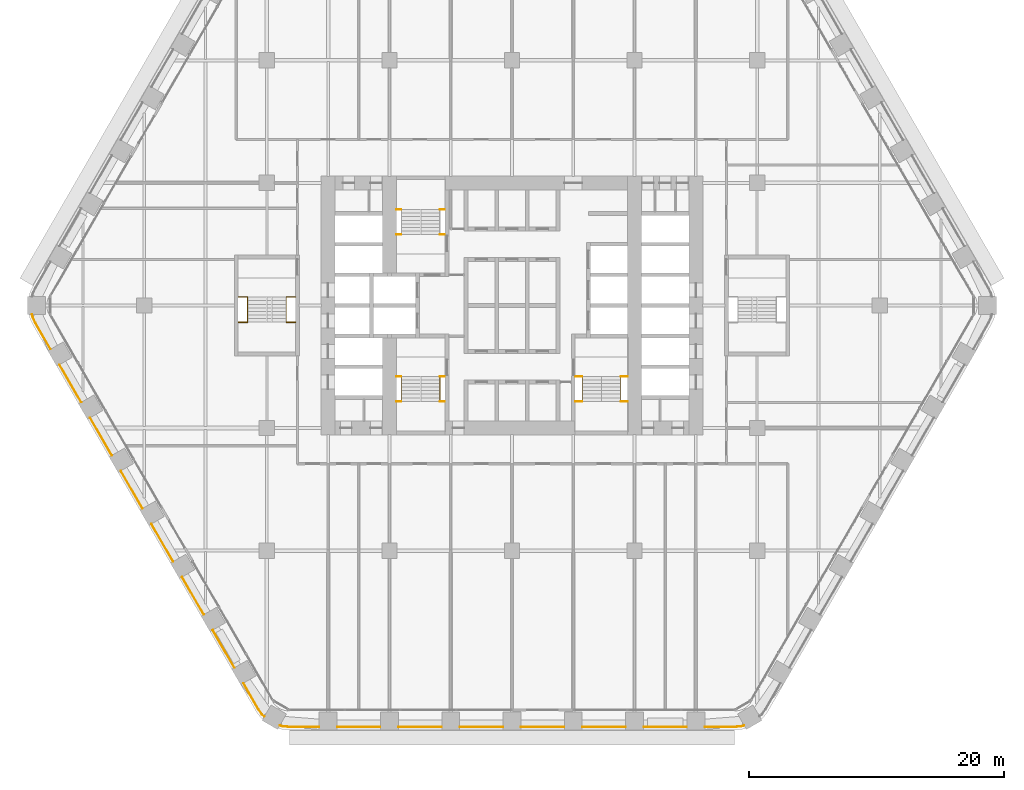
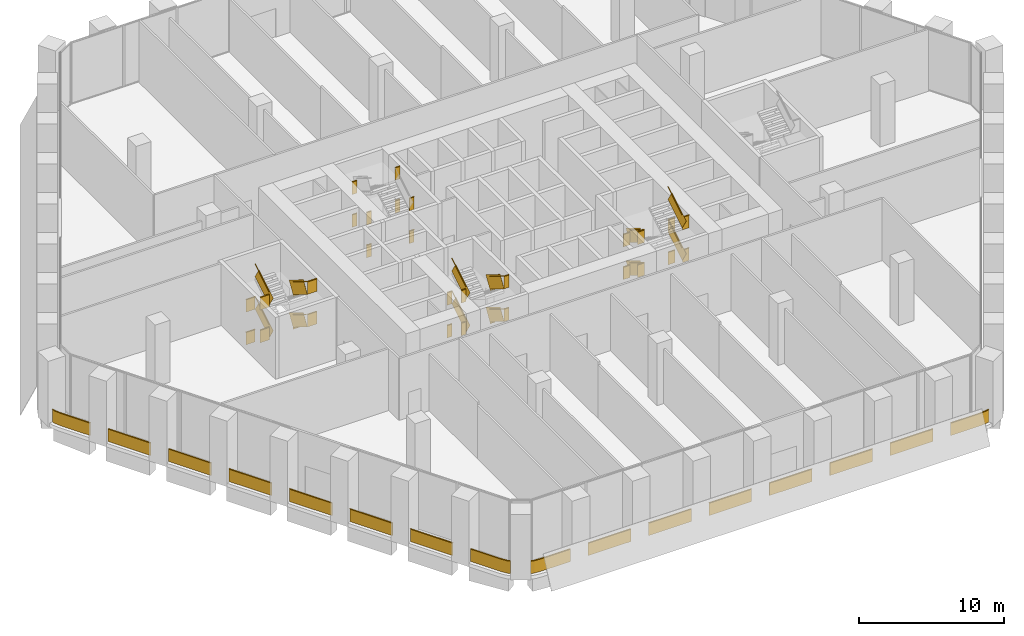
# One storey, part 26 of 27: 9 railings.
"""IFC4 building model written with IfcOpenShell, lengths in metres."""

from ifc_helpers import new_model, si_unit, direction, frame, frame_2d, origin, origin_2d, place, context, subcontext, project, spatial, rectangle, extrude, material, type_object, element, save


model = new_model("IFC4")

# Units and contexts
model_context = context("Model", 3, precision=1e-05, world=origin(), true_north=direction((0.0, 1.0)))
body_context = subcontext(model_context, "Body", "Model", "MODEL_VIEW")
ifc_project = project(units=[si_unit("LENGTHUNIT", "METRE"), si_unit("AREAUNIT", "SQUARE_METRE"), si_unit("VOLUMEUNIT", "CUBIC_METRE"), si_unit("PLANEANGLEUNIT", "RADIAN"), si_unit("MASSUNIT", "GRAM", prefix="KILO")], contexts=[model_context])

# Site, building, storey
site_placement = place(None, origin())
site = spatial("IfcSite", under=ifc_project, at=site_placement, CompositionType="ELEMENT")
building_placement = place(site_placement, origin())
building = spatial("IfcBuilding", under=site, at=building_placement, Name="Kolab Exchange Tower", CompositionType="ELEMENT")
storey_placement = place(building_placement, frame((0.0, 0.0, 66.39990234375)))
storey = spatial("IfcBuildingStorey", under=building, at=storey_placement, Name="L12", CompositionType="ELEMENT", Elevation=66.39990234375)

# Railings
ifc_material_1 = material(Name="Stainless steel 316", Category="steel")
railing_type_1 = type_object("IfcRailingType", Name="GUARD 1100", PredefinedType="GUARDRAIL", material=ifc_material_1)
railing_1_placement = place(storey_placement, frame((-9.050048828125, 5.550048828125, 0.0)))
element("IfcRailing", 1, at=railing_1_placement, inside=storey, type_object=railing_type_1, Name="Guard ST1", PredefinedType="GUARDRAIL", context=body_context, shape_type="SweptSolid", body=[
    extrude(rectangle(XDim=0.05, YDim=0.05, at=origin_2d()), frame((0.0, 0.0, 1.0751953125), z_axis=(1.0, 0.0, 0.0), x_axis=(0.0, 1.0, 0.0)), (0.0, 0.0, 1.0), 0.39013671875),
    extrude(rectangle(XDim=0.012, YDim=1.05009765625, at=frame_2d((0.0, 0.525146484375))), frame((0.0, 0.0, 0.0), z_axis=(1.0, 0.0, 0.0), x_axis=(0.0, 1.0, 0.0)), (0.0, 0.0, 1.0), 0.39013671875),
    extrude(rectangle(XDim=0.05, YDim=0.05, at=origin_2d()), frame((3.41015625, 0.0, 1.0751953125), z_axis=(1.0, 0.0, 0.0), x_axis=(0.0, 1.0, 0.0)), (0.0, 0.0, 1.0), 0.389892578125),
    extrude(rectangle(XDim=0.012, YDim=1.05009765625, at=frame_2d((0.0, 0.525146484375))), frame((3.41015625, 0.0, 0.0), z_axis=(1.0, 0.0, 0.0), x_axis=(0.0, 1.0, 0.0)), (0.0, 0.0, 1.0), 0.389892578125),
    extrude(rectangle(XDim=0.05, YDim=0.05, at=origin_2d()), frame((0.0, 1.9599609375, 2.4501953125), z_axis=(1.0, 0.0, 0.0), x_axis=(0.0, 1.0, 0.0)), (0.0, 0.0, 1.0), 0.39013671875),
    extrude(rectangle(XDim=0.012, YDim=1.05009765625, at=frame_2d((0.0, 0.525146484375))), frame((0.0, 1.9599609375, 1.375), z_axis=(1.0, 0.0, 0.0), x_axis=(0.0, 1.0, 0.0)), (0.0, 0.0, 1.0), 0.39013671875),
    extrude(rectangle(XDim=0.05, YDim=0.05, at=origin_2d()), frame((3.41015625, 1.9599609375, 2.4501953125), z_axis=(1.0, 0.0, 0.0), x_axis=(0.0, 1.0, 0.0)), (0.0, 0.0, 1.0), 0.389892578125),
    extrude(rectangle(XDim=0.012, YDim=1.05009765625, at=frame_2d((0.0, 0.525146484375))), frame((3.41015625, 1.9599609375, 1.375), z_axis=(1.0, 0.0, 0.0), x_axis=(0.0, 1.0, 0.0)), (0.0, 0.0, 1.0), 0.389892578125),
    extrude(rectangle(XDim=0.05, YDim=0.05, at=origin_2d()), frame((0.0, 0.0, 3.8251953125), z_axis=(1.0, 0.0, 0.0), x_axis=(0.0, 1.0, 0.0)), (0.0, 0.0, 1.0), 0.39013671875),
    extrude(rectangle(XDim=0.012, YDim=1.05009765625, at=frame_2d((0.0, 0.525146484375))), frame((0.0, 0.0, 2.75), z_axis=(1.0, 0.0, 0.0), x_axis=(0.0, 1.0, 0.0)), (0.0, 0.0, 1.0), 0.39013671875),
    extrude(rectangle(XDim=0.05, YDim=0.05, at=origin_2d()), frame((3.41015625, 0.0, 3.8251953125), z_axis=(1.0, 0.0, 0.0), x_axis=(0.0, 1.0, 0.0)), (0.0, 0.0, 1.0), 0.389892578125),
    extrude(rectangle(XDim=0.012, YDim=1.05009765625, at=frame_2d((0.0, 0.525146484375))), frame((3.41015625, 0.0, 2.75), z_axis=(1.0, 0.0, 0.0), x_axis=(0.0, 1.0, 0.0)), (0.0, 0.0, 1.0), 0.389892578125),
    extrude(rectangle(XDim=0.05, YDim=0.05, at=origin_2d()), frame((0.0, 1.9599609375, 5.2001953125), z_axis=(1.0, 0.0, 0.0), x_axis=(0.0, 1.0, 0.0)), (0.0, 0.0, 1.0), 0.39013671875),
    extrude(rectangle(XDim=0.012, YDim=1.05009765625, at=frame_2d((0.0, 0.525146484375))), frame((0.0, 1.9599609375, 4.125), z_axis=(1.0, 0.0, 0.0), x_axis=(0.0, 1.0, 0.0)), (0.0, 0.0, 1.0), 0.39013671875),
    extrude(rectangle(XDim=0.05, YDim=0.05, at=origin_2d()), frame((3.41015625, 1.9599609375, 5.2001953125), z_axis=(1.0, 0.0, 0.0), x_axis=(0.0, 1.0, 0.0)), (0.0, 0.0, 1.0), 0.389892578125),
    extrude(rectangle(XDim=0.012, YDim=1.05009765625, at=frame_2d((0.0, 0.525146484375))), frame((3.41015625, 1.9599609375, 4.125), z_axis=(1.0, 0.0, 0.0), x_axis=(0.0, 1.0, 0.0)), (0.0, 0.0, 1.0), 0.389892578125),
])
railing_2_placement = place(storey_placement, frame((-9.050048828125, -5.550048828125, 0.0)))
element("IfcRailing", 2, at=railing_2_placement, inside=storey, type_object=railing_type_1, Name="Guard ST3", PredefinedType="GUARDRAIL", context=body_context, shape_type="SweptSolid", body=[
    extrude(rectangle(XDim=0.05, YDim=0.05, at=origin_2d()), frame((0.0, 0.0, 1.0751953125), z_axis=(1.0, 0.0, 0.0), x_axis=(0.0, 1.0, 0.0)), (0.0, 0.0, 1.0), 0.39013671875),
    extrude(rectangle(XDim=0.012, YDim=1.05009765625, at=frame_2d((0.0, 0.525146484375))), frame((0.0, 0.0, 0.0), z_axis=(1.0, 0.0, 0.0), x_axis=(0.0, 1.0, 0.0)), (0.0, 0.0, 1.0), 0.39013671875),
    extrude(rectangle(XDim=0.05, YDim=0.05, at=origin_2d()), frame((3.41015625, 0.0, 1.0751953125), z_axis=(1.0, 0.0, 0.0), x_axis=(0.0, 1.0, 0.0)), (0.0, 0.0, 1.0), 0.389892578125),
    extrude(rectangle(XDim=0.012, YDim=1.05009765625, at=frame_2d((0.0, 0.525146484375))), frame((3.41015625, 0.0, 0.0), z_axis=(1.0, 0.0, 0.0), x_axis=(0.0, 1.0, 0.0)), (0.0, 0.0, 1.0), 0.389892578125),
    extrude(rectangle(XDim=0.05, YDim=0.05, at=origin_2d()), frame((0.0, -1.9599609375, 2.4501953125), z_axis=(1.0, 0.0, 0.0), x_axis=(0.0, 1.0, 0.0)), (0.0, 0.0, 1.0), 0.39013671875),
    extrude(rectangle(XDim=0.012, YDim=1.05009765625, at=frame_2d((0.0, 0.525146484375))), frame((0.0, -1.9599609375, 1.375), z_axis=(1.0, 0.0, 0.0), x_axis=(0.0, 1.0, 0.0)), (0.0, 0.0, 1.0), 0.39013671875),
    extrude(rectangle(XDim=0.05, YDim=0.05, at=origin_2d()), frame((3.41015625, -1.9599609375, 2.4501953125), z_axis=(1.0, 0.0, 0.0), x_axis=(0.0, 1.0, 0.0)), (0.0, 0.0, 1.0), 0.389892578125),
    extrude(rectangle(XDim=0.012, YDim=1.05009765625, at=frame_2d((0.0, 0.525146484375))), frame((3.41015625, -1.9599609375, 1.375), z_axis=(1.0, 0.0, 0.0), x_axis=(0.0, 1.0, 0.0)), (0.0, 0.0, 1.0), 0.389892578125),
    extrude(rectangle(XDim=0.05, YDim=0.05, at=origin_2d()), frame((0.0, 0.0, 3.8251953125), z_axis=(1.0, 0.0, 0.0), x_axis=(0.0, 1.0, 0.0)), (0.0, 0.0, 1.0), 0.39013671875),
    extrude(rectangle(XDim=0.012, YDim=1.05009765625, at=frame_2d((0.0, 0.525146484375))), frame((0.0, 0.0, 2.75), z_axis=(1.0, 0.0, 0.0), x_axis=(0.0, 1.0, 0.0)), (0.0, 0.0, 1.0), 0.39013671875),
    extrude(rectangle(XDim=0.05, YDim=0.05, at=origin_2d()), frame((3.41015625, 0.0, 3.8251953125), z_axis=(1.0, 0.0, 0.0), x_axis=(0.0, 1.0, 0.0)), (0.0, 0.0, 1.0), 0.389892578125),
    extrude(rectangle(XDim=0.012, YDim=1.05009765625, at=frame_2d((0.0, 0.525146484375))), frame((3.41015625, 0.0, 2.75), z_axis=(1.0, 0.0, 0.0), x_axis=(0.0, 1.0, 0.0)), (0.0, 0.0, 1.0), 0.389892578125),
    extrude(rectangle(XDim=0.05, YDim=0.05, at=origin_2d()), frame((0.0, -1.9599609375, 5.2001953125), z_axis=(1.0, 0.0, 0.0), x_axis=(0.0, 1.0, 0.0)), (0.0, 0.0, 1.0), 0.39013671875),
    extrude(rectangle(XDim=0.012, YDim=1.05009765625, at=frame_2d((0.0, 0.525146484375))), frame((0.0, -1.9599609375, 4.125), z_axis=(1.0, 0.0, 0.0), x_axis=(0.0, 1.0, 0.0)), (0.0, 0.0, 1.0), 0.39013671875),
    extrude(rectangle(XDim=0.05, YDim=0.05, at=origin_2d()), frame((3.41015625, -1.9599609375, 5.2001953125), z_axis=(1.0, 0.0, 0.0), x_axis=(0.0, 1.0, 0.0)), (0.0, 0.0, 1.0), 0.389892578125),
    extrude(rectangle(XDim=0.012, YDim=1.05009765625, at=frame_2d((0.0, 0.525146484375))), frame((3.41015625, -1.9599609375, 4.125), z_axis=(1.0, 0.0, 0.0), x_axis=(0.0, 1.0, 0.0)), (0.0, 0.0, 1.0), 0.389892578125),
])
railing_3_placement = place(storey_placement, frame((-5.639892578125, -5.550048828125, 0.172119140625)))
element("IfcRailing", 3, at=railing_3_placement, inside=storey, type_object=railing_type_1, Name="Handrail guard ST3", PredefinedType="GUARDRAIL", context=body_context, shape_type="SweptSolid", body=[
    extrude(rectangle(XDim=0.05, YDim=0.05, at=origin_2d()), frame((0.0, 0.0, 1.0751953125), z_axis=(0.0, -0.852288308005, 0.523072308613), x_axis=(1.0, 0.0, 0.0)), (0.0, 0.0, 1.0), 2.299560546875),
    extrude(rectangle(XDim=0.012, YDim=1.05009765625, at=frame_2d((0.0, 0.525146484375))), frame((0.0, 0.0, 0.0), z_axis=(0.0, -0.852288308005, 0.523072308613), x_axis=(1.0, 0.0, 0.0)), (0.0, 0.0, 1.0), 2.299560546875),
    extrude(rectangle(XDim=0.05, YDim=0.05, at=origin_2d()), frame((-3.02001953125, -1.9599609375, 2.4501953125), z_axis=(0.0, 0.852288308005, 0.523072308613), x_axis=(-1.0, 0.0, 0.0)), (0.0, 0.0, 1.0), 2.299560546875),
    extrude(rectangle(XDim=0.012, YDim=1.05009765625, at=frame_2d((0.0, 0.525146484375))), frame((-3.02001953125, -1.9599609375, 1.375), z_axis=(0.0, 0.852288308005, 0.523072308613), x_axis=(-1.0, 0.0, 0.0)), (0.0, 0.0, 1.0), 2.299560546875),
    extrude(rectangle(XDim=0.05, YDim=0.05, at=origin_2d()), frame((0.0, 0.0, 3.8251953125), z_axis=(0.0, -0.852288308005, 0.523072308613), x_axis=(1.0, 0.0, 0.0)), (0.0, 0.0, 1.0), 2.299560546875),
    extrude(rectangle(XDim=0.012, YDim=1.05009765625, at=frame_2d((0.0, 0.525146484375))), frame((0.0, 0.0, 2.75), z_axis=(0.0, -0.852288308005, 0.523072308613), x_axis=(1.0, 0.0, 0.0)), (0.0, 0.0, 1.0), 2.299560546875),
    extrude(rectangle(XDim=0.05, YDim=0.05, at=origin_2d()), frame((-3.02001953125, -1.9599609375, 5.2001953125), z_axis=(0.0, 0.852288308005, 0.523072308613), x_axis=(-1.0, 0.0, 0.0)), (0.0, 0.0, 1.0), 2.299560546875),
    extrude(rectangle(XDim=0.012, YDim=1.05009765625, at=frame_2d((0.0, 0.525146484375))), frame((-3.02001953125, -1.9599609375, 4.125), z_axis=(0.0, 0.852288308005, 0.523072308613), x_axis=(-1.0, 0.0, 0.0)), (0.0, 0.0, 1.0), 2.299560546875),
])
railing_4_placement = place(storey_placement, frame((4.949951171875, -5.550048828125, 0.0)))
element("IfcRailing", 4, at=railing_4_placement, inside=storey, type_object=railing_type_1, Name="Guard ST2", PredefinedType="GUARDRAIL", context=body_context, shape_type="SweptSolid", body=[
    extrude(rectangle(XDim=0.05, YDim=0.05, at=origin_2d()), frame((0.0, 0.0, 1.0751953125), z_axis=(1.0, 0.0, 0.0), x_axis=(0.0, 1.0, 0.0)), (0.0, 0.0, 1.0), 0.5400390625),
    extrude(rectangle(XDim=0.012, YDim=1.05009765625, at=frame_2d((0.0, 0.525146484375))), frame((0.0, 0.0, 0.0), z_axis=(1.0, 0.0, 0.0), x_axis=(0.0, 1.0, 0.0)), (0.0, 0.0, 1.0), 0.5400390625),
    extrude(rectangle(XDim=0.05, YDim=0.05, at=origin_2d()), frame((3.56005859375, 0.0, 1.0751953125), z_axis=(1.0, 0.0, 0.0), x_axis=(0.0, 1.0, 0.0)), (0.0, 0.0, 1.0), 0.5400390625),
    extrude(rectangle(XDim=0.012, YDim=1.05009765625, at=frame_2d((0.0, 0.525146484375))), frame((3.56005859375, 0.0, 0.0), z_axis=(1.0, 0.0, 0.0), x_axis=(0.0, 1.0, 0.0)), (0.0, 0.0, 1.0), 0.5400390625),
    extrude(rectangle(XDim=0.05, YDim=0.05, at=origin_2d()), frame((0.0, -1.9599609375, 2.4501953125), z_axis=(1.0, 0.0, 0.0), x_axis=(0.0, 1.0, 0.0)), (0.0, 0.0, 1.0), 0.5400390625),
    extrude(rectangle(XDim=0.012, YDim=1.05009765625, at=frame_2d((0.0, 0.525146484375))), frame((0.0, -1.9599609375, 1.375), z_axis=(1.0, 0.0, 0.0), x_axis=(0.0, 1.0, 0.0)), (0.0, 0.0, 1.0), 0.5400390625),
    extrude(rectangle(XDim=0.05, YDim=0.05, at=origin_2d()), frame((3.56005859375, -1.9599609375, 2.4501953125), z_axis=(1.0, 0.0, 0.0), x_axis=(0.0, 1.0, 0.0)), (0.0, 0.0, 1.0), 0.5400390625),
    extrude(rectangle(XDim=0.012, YDim=1.05009765625, at=frame_2d((0.0, 0.525146484375))), frame((3.56005859375, -1.9599609375, 1.375), z_axis=(1.0, 0.0, 0.0), x_axis=(0.0, 1.0, 0.0)), (0.0, 0.0, 1.0), 0.5400390625),
    extrude(rectangle(XDim=0.05, YDim=0.05, at=origin_2d()), frame((0.0, 0.0, 3.8251953125), z_axis=(1.0, 0.0, 0.0), x_axis=(0.0, 1.0, 0.0)), (0.0, 0.0, 1.0), 0.5400390625),
    extrude(rectangle(XDim=0.012, YDim=1.05009765625, at=frame_2d((0.0, 0.525146484375))), frame((0.0, 0.0, 2.75), z_axis=(1.0, 0.0, 0.0), x_axis=(0.0, 1.0, 0.0)), (0.0, 0.0, 1.0), 0.5400390625),
    extrude(rectangle(XDim=0.05, YDim=0.05, at=origin_2d()), frame((3.56005859375, 0.0, 3.8251953125), z_axis=(1.0, 0.0, 0.0), x_axis=(0.0, 1.0, 0.0)), (0.0, 0.0, 1.0), 0.5400390625),
    extrude(rectangle(XDim=0.012, YDim=1.05009765625, at=frame_2d((0.0, 0.525146484375))), frame((3.56005859375, 0.0, 2.75), z_axis=(1.0, 0.0, 0.0), x_axis=(0.0, 1.0, 0.0)), (0.0, 0.0, 1.0), 0.5400390625),
    extrude(rectangle(XDim=0.05, YDim=0.05, at=origin_2d()), frame((0.0, -1.9599609375, 5.2001953125), z_axis=(1.0, 0.0, 0.0), x_axis=(0.0, 1.0, 0.0)), (0.0, 0.0, 1.0), 0.5400390625),
    extrude(rectangle(XDim=0.012, YDim=1.05009765625, at=frame_2d((0.0, 0.525146484375))), frame((0.0, -1.9599609375, 4.125), z_axis=(1.0, 0.0, 0.0), x_axis=(0.0, 1.0, 0.0)), (0.0, 0.0, 1.0), 0.5400390625),
    extrude(rectangle(XDim=0.05, YDim=0.05, at=origin_2d()), frame((3.56005859375, -1.9599609375, 5.2001953125), z_axis=(1.0, 0.0, 0.0), x_axis=(0.0, 1.0, 0.0)), (0.0, 0.0, 1.0), 0.5400390625),
    extrude(rectangle(XDim=0.012, YDim=1.05009765625, at=frame_2d((0.0, 0.525146484375))), frame((3.56005859375, -1.9599609375, 4.125), z_axis=(1.0, 0.0, 0.0), x_axis=(0.0, 1.0, 0.0)), (0.0, 0.0, 1.0), 0.5400390625),
])
railing_5_placement = place(storey_placement, frame((5.489990234375, -5.550048828125, 0.172119140625)))
element("IfcRailing", 5, at=railing_5_placement, inside=storey, type_object=railing_type_1, Name="Handrail guard ST2", PredefinedType="GUARDRAIL", context=body_context, shape_type="SweptSolid", body=[
    extrude(rectangle(XDim=0.05, YDim=0.05, at=origin_2d()), frame((0.0, 0.0, 1.0751953125), z_axis=(0.0, -0.852288308005, 0.523072308613), x_axis=(1.0, 0.0, 0.0)), (0.0, 0.0, 1.0), 2.299560546875),
    extrude(rectangle(XDim=0.012, YDim=1.05009765625, at=frame_2d((0.0, 0.525146484375))), frame((0.0, 0.0, 0.0), z_axis=(0.0, -0.852288308005, 0.523072308613), x_axis=(1.0, 0.0, 0.0)), (0.0, 0.0, 1.0), 2.299560546875),
    extrude(rectangle(XDim=0.05, YDim=0.05, at=origin_2d()), frame((3.02001953125, -1.9599609375, 2.4501953125), z_axis=(0.0, 0.852288308005, 0.523072308613), x_axis=(-1.0, 0.0, 0.0)), (0.0, 0.0, 1.0), 2.299560546875),
    extrude(rectangle(XDim=0.012, YDim=1.05009765625, at=frame_2d((0.0, 0.525146484375))), frame((3.02001953125, -1.9599609375, 1.375), z_axis=(0.0, 0.852288308005, 0.523072308613), x_axis=(-1.0, 0.0, 0.0)), (0.0, 0.0, 1.0), 2.299560546875),
    extrude(rectangle(XDim=0.05, YDim=0.05, at=origin_2d()), frame((0.0, 0.0, 3.8251953125), z_axis=(0.0, -0.852288308005, 0.523072308613), x_axis=(1.0, 0.0, 0.0)), (0.0, 0.0, 1.0), 2.299560546875),
    extrude(rectangle(XDim=0.012, YDim=1.05009765625, at=frame_2d((0.0, 0.525146484375))), frame((0.0, 0.0, 2.75), z_axis=(0.0, -0.852288308005, 0.523072308613), x_axis=(1.0, 0.0, 0.0)), (0.0, 0.0, 1.0), 2.299560546875),
    extrude(rectangle(XDim=0.05, YDim=0.05, at=origin_2d()), frame((3.02001953125, -1.9599609375, 5.2001953125), z_axis=(0.0, 0.852288308005, 0.523072308613), x_axis=(-1.0, 0.0, 0.0)), (0.0, 0.0, 1.0), 2.299560546875),
    extrude(rectangle(XDim=0.012, YDim=1.05009765625, at=frame_2d((0.0, 0.525146484375))), frame((3.02001953125, -1.9599609375, 4.125), z_axis=(0.0, 0.852288308005, 0.523072308613), x_axis=(-1.0, 0.0, 0.0)), (0.0, 0.0, 1.0), 2.299560546875),
])
railing_6_placement = place(storey_placement, frame((-21.449951171875, 0.64990234375, 0.0)))
element("IfcRailing", 6, at=railing_6_placement, inside=storey, type_object=railing_type_1, Name="Guard ST5", PredefinedType="GUARDRAIL", context=body_context, shape_type="SweptSolid", body=[
    extrude(rectangle(XDim=0.05, YDim=0.05, at=origin_2d()), frame((0.0, 0.0, 1.0751953125), z_axis=(1.0, 0.0, 0.0), x_axis=(0.0, 1.0, 0.0)), (0.0, 0.0, 1.0), 0.739990234375),
    extrude(rectangle(XDim=0.012, YDim=1.05009765625, at=frame_2d((0.0, 0.525146484375))), frame((0.0, 0.0, 0.0), z_axis=(1.0, 0.0, 0.0), x_axis=(0.0, 1.0, 0.0)), (0.0, 0.0, 1.0), 0.739990234375),
    extrude(rectangle(XDim=0.05, YDim=0.05, at=origin_2d()), frame((3.760009765625, 0.0, 1.0751953125), z_axis=(1.0, 0.0, 0.0), x_axis=(0.0, 1.0, 0.0)), (0.0, 0.0, 1.0), 0.739990234375),
    extrude(rectangle(XDim=0.012, YDim=1.05009765625, at=frame_2d((0.0, 0.525146484375))), frame((3.760009765625, 0.0, 0.0), z_axis=(1.0, 0.0, 0.0), x_axis=(0.0, 1.0, 0.0)), (0.0, 0.0, 1.0), 0.739990234375),
    extrude(rectangle(XDim=0.05, YDim=0.05, at=origin_2d()), frame((0.0, -1.9599609375, 2.4501953125), z_axis=(1.0, 0.0, 0.0), x_axis=(0.0, 1.0, 0.0)), (0.0, 0.0, 1.0), 0.739990234375),
    extrude(rectangle(XDim=0.012, YDim=1.05009765625, at=frame_2d((0.0, 0.525146484375))), frame((0.0, -1.9599609375, 1.375), z_axis=(1.0, 0.0, 0.0), x_axis=(0.0, 1.0, 0.0)), (0.0, 0.0, 1.0), 0.739990234375),
    extrude(rectangle(XDim=0.05, YDim=0.05, at=origin_2d()), frame((3.760009765625, -1.9599609375, 2.4501953125), z_axis=(1.0, 0.0, 0.0), x_axis=(0.0, 1.0, 0.0)), (0.0, 0.0, 1.0), 0.739990234375),
    extrude(rectangle(XDim=0.012, YDim=1.05009765625, at=frame_2d((0.0, 0.525146484375))), frame((3.760009765625, -1.9599609375, 1.375), z_axis=(1.0, 0.0, 0.0), x_axis=(0.0, 1.0, 0.0)), (0.0, 0.0, 1.0), 0.739990234375),
    extrude(rectangle(XDim=0.05, YDim=0.05, at=origin_2d()), frame((0.0, 0.0, 3.8251953125), z_axis=(1.0, 0.0, 0.0), x_axis=(0.0, 1.0, 0.0)), (0.0, 0.0, 1.0), 0.739990234375),
    extrude(rectangle(XDim=0.012, YDim=1.05009765625, at=frame_2d((0.0, 0.525146484375))), frame((0.0, 0.0, 2.75), z_axis=(1.0, 0.0, 0.0), x_axis=(0.0, 1.0, 0.0)), (0.0, 0.0, 1.0), 0.739990234375),
    extrude(rectangle(XDim=0.05, YDim=0.05, at=origin_2d()), frame((3.760009765625, 0.0, 3.8251953125), z_axis=(1.0, 0.0, 0.0), x_axis=(0.0, 1.0, 0.0)), (0.0, 0.0, 1.0), 0.739990234375),
    extrude(rectangle(XDim=0.012, YDim=1.05009765625, at=frame_2d((0.0, 0.525146484375))), frame((3.760009765625, 0.0, 2.75), z_axis=(1.0, 0.0, 0.0), x_axis=(0.0, 1.0, 0.0)), (0.0, 0.0, 1.0), 0.739990234375),
    extrude(rectangle(XDim=0.05, YDim=0.05, at=origin_2d()), frame((0.0, -1.9599609375, 5.2001953125), z_axis=(1.0, 0.0, 0.0), x_axis=(0.0, 1.0, 0.0)), (0.0, 0.0, 1.0), 0.739990234375),
    extrude(rectangle(XDim=0.012, YDim=1.05009765625, at=frame_2d((0.0, 0.525146484375))), frame((0.0, -1.9599609375, 4.125), z_axis=(1.0, 0.0, 0.0), x_axis=(0.0, 1.0, 0.0)), (0.0, 0.0, 1.0), 0.739990234375),
    extrude(rectangle(XDim=0.05, YDim=0.05, at=origin_2d()), frame((3.760009765625, -1.9599609375, 5.2001953125), z_axis=(1.0, 0.0, 0.0), x_axis=(0.0, 1.0, 0.0)), (0.0, 0.0, 1.0), 0.739990234375),
    extrude(rectangle(XDim=0.012, YDim=1.05009765625, at=frame_2d((0.0, 0.525146484375))), frame((3.760009765625, -1.9599609375, 4.125), z_axis=(1.0, 0.0, 0.0), x_axis=(0.0, 1.0, 0.0)), (0.0, 0.0, 1.0), 0.739990234375),
])
railing_7_placement = place(storey_placement, frame((-17.68994140625, 0.64990234375, 0.172119140625)))
element("IfcRailing", 7, at=railing_7_placement, inside=storey, type_object=railing_type_1, Name="Handrail guard ST5", PredefinedType="GUARDRAIL", context=body_context, shape_type="SweptSolid", body=[
    extrude(rectangle(XDim=0.05, YDim=0.05, at=origin_2d()), frame((0.0, 0.0, 1.0751953125), z_axis=(0.0, -0.852288308005, 0.523072308613), x_axis=(1.0, 0.0, 0.0)), (0.0, 0.0, 1.0), 2.299560546875),
    extrude(rectangle(XDim=0.012, YDim=1.05009765625, at=frame_2d((0.0, 0.525146484375))), frame((0.0, 0.0, 0.0), z_axis=(0.0, -0.852288308005, 0.523072308613), x_axis=(1.0, 0.0, 0.0)), (0.0, 0.0, 1.0), 2.299560546875),
    extrude(rectangle(XDim=0.05, YDim=0.05, at=origin_2d()), frame((-3.02001953125, -1.9599609375, 2.4501953125), z_axis=(0.0, 0.852288308005, 0.523072308613), x_axis=(-1.0, 0.0, 0.0)), (0.0, 0.0, 1.0), 2.299560546875),
    extrude(rectangle(XDim=0.012, YDim=1.05009765625, at=frame_2d((0.0, 0.525146484375))), frame((-3.02001953125, -1.9599609375, 1.375), z_axis=(0.0, 0.852288308005, 0.523072308613), x_axis=(-1.0, 0.0, 0.0)), (0.0, 0.0, 1.0), 2.299560546875),
    extrude(rectangle(XDim=0.05, YDim=0.05, at=origin_2d()), frame((0.0, 0.0, 3.8251953125), z_axis=(0.0, -0.852288308005, 0.523072308613), x_axis=(1.0, 0.0, 0.0)), (0.0, 0.0, 1.0), 2.299560546875),
    extrude(rectangle(XDim=0.012, YDim=1.05009765625, at=frame_2d((0.0, 0.525146484375))), frame((0.0, 0.0, 2.75), z_axis=(0.0, -0.852288308005, 0.523072308613), x_axis=(1.0, 0.0, 0.0)), (0.0, 0.0, 1.0), 2.299560546875),
    extrude(rectangle(XDim=0.05, YDim=0.05, at=origin_2d()), frame((-3.02001953125, -1.9599609375, 5.2001953125), z_axis=(0.0, 0.852288308005, 0.523072308613), x_axis=(-1.0, 0.0, 0.0)), (0.0, 0.0, 1.0), 2.299560546875),
    extrude(rectangle(XDim=0.012, YDim=1.05009765625, at=frame_2d((0.0, 0.525146484375))), frame((-3.02001953125, -1.9599609375, 4.125), z_axis=(0.0, 0.852288308005, 0.523072308613), x_axis=(-1.0, 0.0, 0.0)), (0.0, 0.0, 1.0), 2.299560546875),
])
ifc_material_2 = material(Name="Steel S235", Category="steel")
railing_type_2 = type_object("IfcRailingType", Name="GUARD 1100 GLASS BALUSTRADE AND STEEL TOP RAIL", PredefinedType="GUARDRAIL", material=ifc_material_2)
railing_8_placement = place(storey_placement, frame((-18.1953125, -32.896728515625, 0.0)))
element("IfcRailing", 8, at=railing_8_placement, inside=storey, type_object=railing_type_2, Name="Guard", PredefinedType="GUARDRAIL", context=body_context, shape_type="SweptSolid", body=[
    extrude(rectangle(XDim=0.05, YDim=0.05, at=origin_2d()), frame((0.0, 0.0, 1.0751953125), z_axis=(0.965952265455, -0.258720352624, 0.0), x_axis=(0.258720352624, 0.965952265455, 0.0)), (0.0, 0.0, 1.0), 0.258544921875),
    extrude(rectangle(XDim=0.012, YDim=1.05009765625, at=frame_2d((0.0, 0.525146484375))), frame((0.0, 0.0, 0.0), z_axis=(0.965952265455, -0.258720352624, 0.0), x_axis=(0.258720352624, 0.965952265455, 0.0)), (0.0, 0.0, 1.0), 0.258544921875),
    extrude(rectangle(XDim=0.05, YDim=0.05, at=origin_2d()), frame((0.249755859375, -0.06689453125, 1.0751953125), z_axis=(0.996200348447, -0.087091134757, 0.0), x_axis=(0.087091134757, 0.996200348447, 0.0)), (0.0, 0.0, 1.0), 0.479248046875),
    extrude(rectangle(XDim=0.012, YDim=1.05009765625, at=frame_2d((0.0, 0.525146484375))), frame((0.249755859375, -0.06689453125, 0.0), z_axis=(0.996200348447, -0.087091134757, 0.0), x_axis=(0.087091134757, 0.996200348447, 0.0)), (0.0, 0.0, 1.0), 0.479248046875),
    extrude(rectangle(XDim=0.05, YDim=0.05, at=origin_2d()), frame((0.727294921875, -0.108642578125, 1.0751953125), z_axis=(1.0, 0.0, 0.0), x_axis=(0.0, 1.0, 0.0)), (0.0, 0.0, 1.0), 2.367919921875),
    extrude(rectangle(XDim=0.012, YDim=1.05009765625, at=frame_2d((0.0, 0.525146484375))), frame((0.727294921875, -0.108642578125, 0.0), z_axis=(1.0, 0.0, 0.0), x_axis=(0.0, 1.0, 0.0)), (0.0, 0.0, 1.0), 2.367919921875),
    extrude(rectangle(XDim=0.05, YDim=0.05, at=origin_2d()), frame((4.495361328125, -0.108642578125, 1.0751953125), z_axis=(1.0, 0.0, 0.0), x_axis=(0.0, 1.0, 0.0)), (0.0, 0.0, 1.0), 3.39990234375),
    extrude(rectangle(XDim=0.012, YDim=1.05009765625, at=frame_2d((0.0, 0.525146484375))), frame((4.495361328125, -0.108642578125, 0.0), z_axis=(1.0, 0.0, 0.0), x_axis=(0.0, 1.0, 0.0)), (0.0, 0.0, 1.0), 3.39990234375),
    extrude(rectangle(XDim=0.05, YDim=0.05, at=origin_2d()), frame((9.29541015625, -0.108642578125, 1.0751953125), z_axis=(1.0, 0.0, 0.0), x_axis=(0.0, 1.0, 0.0)), (0.0, 0.0, 1.0), 3.39990234375),
    extrude(rectangle(XDim=0.012, YDim=1.05009765625, at=frame_2d((0.0, 0.525146484375))), frame((9.29541015625, -0.108642578125, 0.0), z_axis=(1.0, 0.0, 0.0), x_axis=(0.0, 1.0, 0.0)), (0.0, 0.0, 1.0), 3.39990234375),
    extrude(rectangle(XDim=0.05, YDim=0.05, at=origin_2d()), frame((14.09521484375, -0.108642578125, 1.0751953125), z_axis=(1.0, 0.0, 0.0), x_axis=(0.0, 1.0, 0.0)), (0.0, 0.0, 1.0), 3.400146484375),
    extrude(rectangle(XDim=0.012, YDim=1.05009765625, at=frame_2d((0.0, 0.525146484375))), frame((14.09521484375, -0.108642578125, 0.0), z_axis=(1.0, 0.0, 0.0), x_axis=(0.0, 1.0, 0.0)), (0.0, 0.0, 1.0), 3.400146484375),
    extrude(rectangle(XDim=0.05, YDim=0.05, at=origin_2d()), frame((18.895263671875, -0.108642578125, 1.0751953125), z_axis=(1.0, 0.0, 0.0), x_axis=(0.0, 1.0, 0.0)), (0.0, 0.0, 1.0), 3.400146484375),
    extrude(rectangle(XDim=0.012, YDim=1.05009765625, at=frame_2d((0.0, 0.525146484375))), frame((18.895263671875, -0.108642578125, 0.0), z_axis=(1.0, 0.0, 0.0), x_axis=(0.0, 1.0, 0.0)), (0.0, 0.0, 1.0), 3.400146484375),
    extrude(rectangle(XDim=0.05, YDim=0.05, at=origin_2d()), frame((23.6953125, -0.108642578125, 1.0751953125), z_axis=(1.0, 0.0, 0.0), x_axis=(0.0, 1.0, 0.0)), (0.0, 0.0, 1.0), 3.39990234375),
    extrude(rectangle(XDim=0.012, YDim=1.05009765625, at=frame_2d((0.0, 0.525146484375))), frame((23.6953125, -0.108642578125, 0.0), z_axis=(1.0, 0.0, 0.0), x_axis=(0.0, 1.0, 0.0)), (0.0, 0.0, 1.0), 3.39990234375),
    extrude(rectangle(XDim=0.05, YDim=0.05, at=origin_2d()), frame((28.495361328125, -0.108642578125, 1.0751953125), z_axis=(1.0, 0.0, 0.0), x_axis=(0.0, 1.0, 0.0)), (0.0, 0.0, 1.0), 3.39990234375),
    extrude(rectangle(XDim=0.012, YDim=1.05009765625, at=frame_2d((0.0, 0.525146484375))), frame((28.495361328125, -0.108642578125, 0.0), z_axis=(1.0, 0.0, 0.0), x_axis=(0.0, 1.0, 0.0)), (0.0, 0.0, 1.0), 3.39990234375),
    extrude(rectangle(XDim=0.05, YDim=0.05, at=origin_2d()), frame((33.29541015625, -0.108642578125, 1.0751953125), z_axis=(1.0, 0.0, 0.0), x_axis=(0.0, 1.0, 0.0)), (0.0, 0.0, 1.0), 2.367919921875),
    extrude(rectangle(XDim=0.012, YDim=1.05009765625, at=frame_2d((0.0, 0.525146484375))), frame((33.29541015625, -0.108642578125, 0.0), z_axis=(1.0, 0.0, 0.0), x_axis=(0.0, 1.0, 0.0)), (0.0, 0.0, 1.0), 2.367919921875),
    extrude(rectangle(XDim=0.05, YDim=0.05, at=origin_2d()), frame((35.663330078125, -0.108642578125, 1.0751953125), z_axis=(0.996200348447, 0.087091134757, 0.0), x_axis=(-0.087091134757, 0.996200348447, 0.0)), (0.0, 0.0, 1.0), 0.479248046875),
    extrude(rectangle(XDim=0.012, YDim=1.05009765625, at=frame_2d((0.0, 0.525146484375))), frame((35.663330078125, -0.108642578125, 0.0), z_axis=(0.996200348447, 0.087091134757, 0.0), x_axis=(-0.087091134757, 0.996200348447, 0.0)), (0.0, 0.0, 1.0), 0.479248046875),
    extrude(rectangle(XDim=0.05, YDim=0.05, at=origin_2d()), frame((36.140869140625, -0.06689453125, 1.0751953125), z_axis=(0.965952265455, 0.258720352624, 0.0), x_axis=(-0.258720352624, 0.965952265455, 0.0)), (0.0, 0.0, 1.0), 0.258544921875),
    extrude(rectangle(XDim=0.012, YDim=1.05009765625, at=frame_2d((0.0, 0.525146484375))), frame((36.140869140625, -0.06689453125, 0.0), z_axis=(0.965952265455, 0.258720352624, 0.0), x_axis=(-0.258720352624, 0.965952265455, 0.0)), (0.0, 0.0, 1.0), 0.258544921875),
])
railing_9_placement = place(storey_placement, frame((-37.5869140625, -0.690673828125, 0.0)))
element("IfcRailing", 9, at=railing_9_placement, inside=storey, type_object=railing_type_2, Name="Guard", PredefinedType="GUARDRAIL", context=body_context, shape_type="SweptSolid", body=[
    extrude(rectangle(XDim=0.05, YDim=0.05, at=origin_2d()), frame((0.0, 0.0, 1.0751953125), z_axis=(0.258484584798, -0.966015382601, 0.0), x_axis=(0.966015382601, 0.258484584798, 0.0)), (0.0, 0.0, 1.0), 0.2587890625),
    extrude(rectangle(XDim=0.012, YDim=1.05009765625, at=frame_2d((0.0, 0.525146484375))), frame((0.0, 0.0, 0.0), z_axis=(0.258484584798, -0.966015382601, 0.0), x_axis=(0.966015382601, 0.258484584798, 0.0)), (0.0, 0.0, 1.0), 0.2587890625),
    extrude(rectangle(XDim=0.05, YDim=0.05, at=origin_2d()), frame((0.06689453125, -0.25, 1.0751953125), z_axis=(0.422801802984, -0.906222177721, 0.0), x_axis=(0.906222177721, 0.422801802984, 0.0)), (0.0, 0.0, 1.0), 0.479248046875),
    extrude(rectangle(XDim=0.012, YDim=1.05009765625, at=frame_2d((0.0, 0.525146484375))), frame((0.06689453125, -0.25, 0.0), z_axis=(0.422801802984, -0.906222177721, 0.0), x_axis=(0.906222177721, 0.422801802984, 0.0)), (0.0, 0.0, 1.0), 0.479248046875),
    extrude(rectangle(XDim=0.05, YDim=0.05, at=origin_2d()), frame((0.26953125, -0.684326171875, 1.0751953125), z_axis=(0.499942602326, -0.866058539811, 0.0), x_axis=(0.866058539811, 0.499942602326, 0.0)), (0.0, 0.0, 1.0), 2.367919921875),
    extrude(rectangle(XDim=0.012, YDim=1.05009765625, at=frame_2d((0.0, 0.525146484375))), frame((0.26953125, -0.684326171875, 0.0), z_axis=(0.499942602326, -0.866058539811, 0.0), x_axis=(0.866058539811, 0.499942602326, 0.0)), (0.0, 0.0, 1.0), 2.367919921875),
    extrude(rectangle(XDim=0.05, YDim=0.05, at=origin_2d()), frame((2.1533203125, -3.947509765625, 1.0751953125), z_axis=(0.500062241894, -0.865989465428, 0.0), x_axis=(0.865989465428, 0.500062241894, 0.0)), (0.0, 0.0, 1.0), 3.39990234375),
    extrude(rectangle(XDim=0.012, YDim=1.05009765625, at=frame_2d((0.0, 0.525146484375))), frame((2.1533203125, -3.947509765625, 0.0), z_axis=(0.500062241894, -0.865989465428, 0.0), x_axis=(0.865989465428, 0.500062241894, 0.0)), (0.0, 0.0, 1.0), 3.39990234375),
    extrude(rectangle(XDim=0.05, YDim=0.05, at=origin_2d()), frame((4.553466796875, -8.1044921875, 1.0751953125), z_axis=(0.500008388397, -0.866020560687, 0.0), x_axis=(0.866020560687, 0.500008388397, 0.0)), (0.0, 0.0, 1.0), 3.39990234375),
    extrude(rectangle(XDim=0.012, YDim=1.05009765625, at=frame_2d((0.0, 0.525146484375))), frame((4.553466796875, -8.1044921875, 0.0), z_axis=(0.500008388397, -0.866020560687, 0.0), x_axis=(0.866020560687, 0.500008388397, 0.0)), (0.0, 0.0, 1.0), 3.39990234375),
    extrude(rectangle(XDim=0.05, YDim=0.05, at=origin_2d()), frame((6.953369140625, -12.26123046875, 1.0751953125), z_axis=(0.499977295307, -0.866038511948, 0.0), x_axis=(0.866038511948, 0.499977295307, 0.0)), (0.0, 0.0, 1.0), 3.400146484375),
    extrude(rectangle(XDim=0.012, YDim=1.05009765625, at=frame_2d((0.0, 0.525146484375))), frame((6.953369140625, -12.26123046875, 0.0), z_axis=(0.499977295307, -0.866038511948, 0.0), x_axis=(0.866038511948, 0.499977295307, 0.0)), (0.0, 0.0, 1.0), 3.400146484375),
    extrude(rectangle(XDim=0.05, YDim=0.05, at=origin_2d()), frame((9.353515625, -16.418212890625, 1.0751953125), z_axis=(0.499977295307, -0.866038511948, 0.0), x_axis=(0.866038511948, 0.499977295307, 0.0)), (0.0, 0.0, 1.0), 3.400146484375),
    extrude(rectangle(XDim=0.012, YDim=1.05009765625, at=frame_2d((0.0, 0.525146484375))), frame((9.353515625, -16.418212890625, 0.0), z_axis=(0.499977295307, -0.866038511948, 0.0), x_axis=(0.866038511948, 0.499977295307, 0.0)), (0.0, 0.0, 1.0), 3.400146484375),
    extrude(rectangle(XDim=0.05, YDim=0.05, at=origin_2d()), frame((11.75341796875, -20.5751953125, 1.0751953125), z_axis=(0.500008388397, -0.866020560687, 0.0), x_axis=(0.866020560687, 0.500008388397, 0.0)), (0.0, 0.0, 1.0), 3.39990234375),
    extrude(rectangle(XDim=0.012, YDim=1.05009765625, at=frame_2d((0.0, 0.525146484375))), frame((11.75341796875, -20.5751953125, 0.0), z_axis=(0.500008388397, -0.866020560687, 0.0), x_axis=(0.866020560687, 0.500008388397, 0.0)), (0.0, 0.0, 1.0), 3.39990234375),
    extrude(rectangle(XDim=0.05, YDim=0.05, at=origin_2d()), frame((14.1533203125, -24.732177734375, 1.0751953125), z_axis=(0.500062241894, -0.865989465428, 0.0), x_axis=(0.865989465428, 0.500062241894, 0.0)), (0.0, 0.0, 1.0), 3.39990234375),
    extrude(rectangle(XDim=0.012, YDim=1.05009765625, at=frame_2d((0.0, 0.525146484375))), frame((14.1533203125, -24.732177734375, 0.0), z_axis=(0.500062241894, -0.865989465428, 0.0), x_axis=(0.865989465428, 0.500062241894, 0.0)), (0.0, 0.0, 1.0), 3.39990234375),
    extrude(rectangle(XDim=0.05, YDim=0.05, at=origin_2d()), frame((16.553466796875, -28.888916015625, 1.0751953125), z_axis=(0.499942602326, -0.866058539811, 0.0), x_axis=(0.866058539811, 0.499942602326, 0.0)), (0.0, 0.0, 1.0), 2.367919921875),
    extrude(rectangle(XDim=0.012, YDim=1.05009765625, at=frame_2d((0.0, 0.525146484375))), frame((16.553466796875, -28.888916015625, 0.0), z_axis=(0.499942602326, -0.866058539811, 0.0), x_axis=(0.866058539811, 0.499942602326, 0.0)), (0.0, 0.0, 1.0), 2.367919921875),
    extrude(rectangle(XDim=0.05, YDim=0.05, at=origin_2d()), frame((17.7373046875, -30.939697265625, 1.0751953125), z_axis=(0.573940749815, -0.818896828485, 0.0), x_axis=(0.818896828485, 0.573940749815, 0.0)), (0.0, 0.0, 1.0), 0.4794921875),
    extrude(rectangle(XDim=0.012, YDim=1.05009765625, at=frame_2d((0.0, 0.525146484375))), frame((17.7373046875, -30.939697265625, 0.0), z_axis=(0.573940749815, -0.818896828485, 0.0), x_axis=(0.818896828485, 0.573940749815, 0.0)), (0.0, 0.0, 1.0), 0.4794921875),
    extrude(rectangle(XDim=0.05, YDim=0.05, at=origin_2d()), frame((18.012451171875, -31.332275390625, 1.0751953125), z_axis=(0.706634904947, -0.707578342737, 0.0), x_axis=(0.707578342737, 0.706634904947, 0.0)), (0.0, 0.0, 1.0), 0.2587890625),
    extrude(rectangle(XDim=0.012, YDim=1.05009765625, at=frame_2d((0.0, 0.525146484375))), frame((18.012451171875, -31.332275390625, 0.0), z_axis=(0.706634904947, -0.707578342737, 0.0), x_axis=(0.707578342737, 0.706634904947, 0.0)), (0.0, 0.0, 1.0), 0.2587890625),
])

save(model, "model.ifc")
